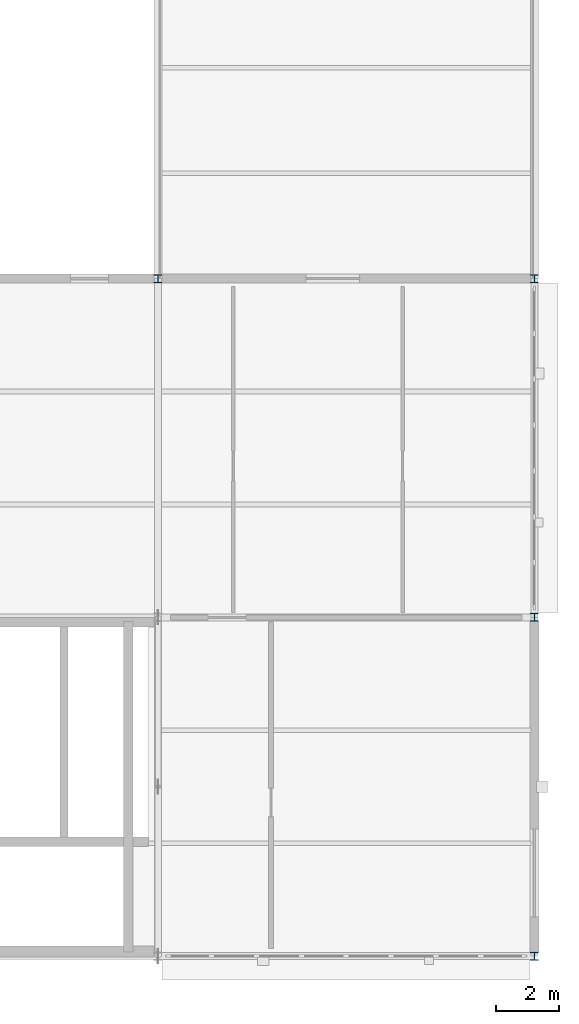
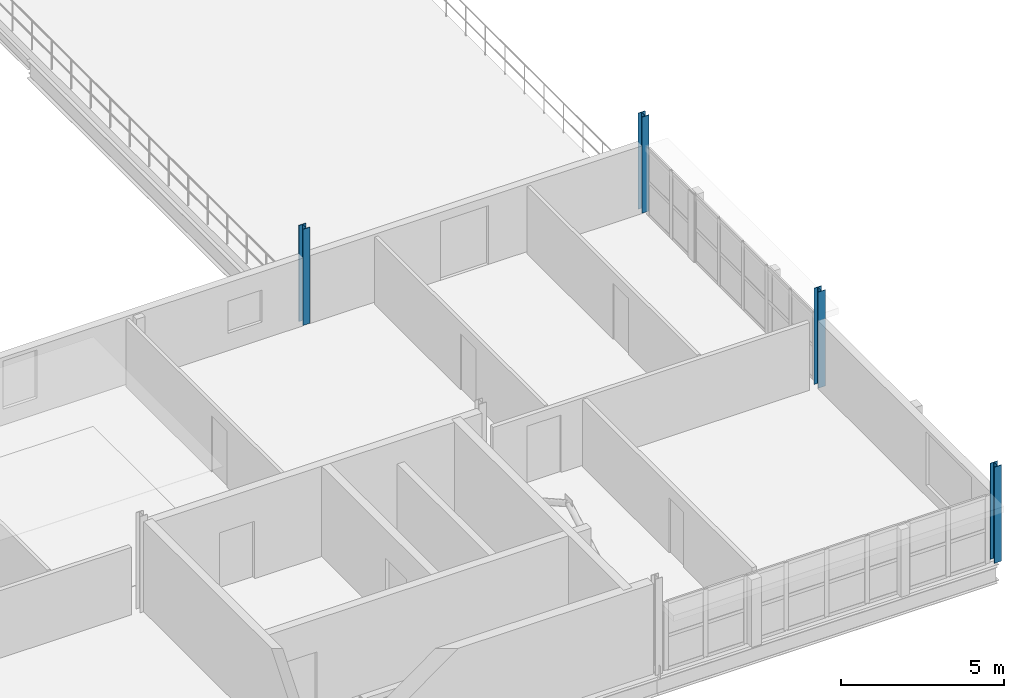
# One storey, part 13 of 62: 4 columns.
"""IFC4 building model written with IfcOpenShell, lengths in metres."""

from ifc_helpers import new_model, si_unit, direction, frame, origin, origin_2d, place, context, subcontext, project, spatial, i_section, extrude, material, material_profile, profile_set, type_object, element, save


model = new_model("IFC4")

# Units and contexts
model_context = context("Model", 3, precision=1e-05, world=origin(), true_north=direction((0.0, 1.0)))
body_context = subcontext(model_context, "Body", "Model", "MODEL_VIEW")
ifc_project = project(units=[si_unit("LENGTHUNIT", "METRE"), si_unit("AREAUNIT", "SQUARE_METRE"), si_unit("VOLUMEUNIT", "CUBIC_METRE"), si_unit("PLANEANGLEUNIT", "RADIAN"), si_unit("MASSUNIT", "GRAM", prefix="KILO"), si_unit("THERMODYNAMICTEMPERATUREUNIT", "KELVIN"), si_unit("POWERUNIT", "WATT")], contexts=[model_context])

# Site, building, storey
site_placement = place(None, origin())
site = spatial("IfcSite", under=ifc_project, at=site_placement, CompositionType="ELEMENT")
building_placement = place(site_placement, origin())
building = spatial("IfcBuilding", under=site, at=building_placement, Name="Tembeka Court Mobility Hub", CompositionType="ELEMENT")
storey_placement = place(building_placement, frame((0.0, 0.0, 16.199951171875)))
storey = spatial("IfcBuildingStorey", under=building, at=storey_placement, Name="L04", CompositionType="ELEMENT", Elevation=16.199951171875)

# Columns
ifc_material = material(Name="Steel S355", Category="steel")
ifc_material_profile = material_profile(ifc_material, i_section(OverallWidth=0.256103515625, OverallDepth=0.260009765625, WebThickness=0.01025390625, FlangeThickness=0.017333984375, FilletRadius=0.0126953125, at=origin_2d()), Name="UKC 254x254x89")
ifc_profile_set = profile_set([ifc_material_profile], Name="Steel S355")
column_type = type_object("IfcColumnType", Name="COL-C05", PredefinedType="COLUMN", material=ifc_profile_set)
for number, where, z_axis, x_axis, name in (
    (1, (164.39990234375, 21.60009765625, 0.0), (0.0, 0.0, 1.0), (1.0, 0.0, 0.0), "Column C05 (L04-222)"),
    (2, (176.39990234375, 0.0, 0.0), (0.0, 0.0, 1.0), (1.0, 0.0, 0.0), "Column C05 (L04-239)"),
    (3, (176.39990234375, 10.800048828125, 0.0), (0.0, 0.0, 1.0), (1.0, 0.0, 0.0), "Column C05 (L04-240)"),
    (4, (176.39990234375, 21.60009765625, 0.0), (0.0, 0.0, 1.0), (1.0, 0.0, 0.0), "Column C05 (L04-241)"),
):
    element("IfcColumn", number, at=place(storey_placement, frame(where, z_axis=z_axis, x_axis=x_axis)), inside=storey, type_object=column_type, Name=name, PredefinedType="COLUMN", context=body_context, shape_type="SweptSolid", body=[
        extrude(i_section(OverallWidth=0.256103515625, OverallDepth=0.260009765625, WebThickness=0.01025390625, FlangeThickness=0.017333984375, FilletRadius=0.0126953125, at=origin_2d()), origin(), (0.0, 0.0, 1.0), 3.60009765625),
    ])

save(model, "model.ifc")
